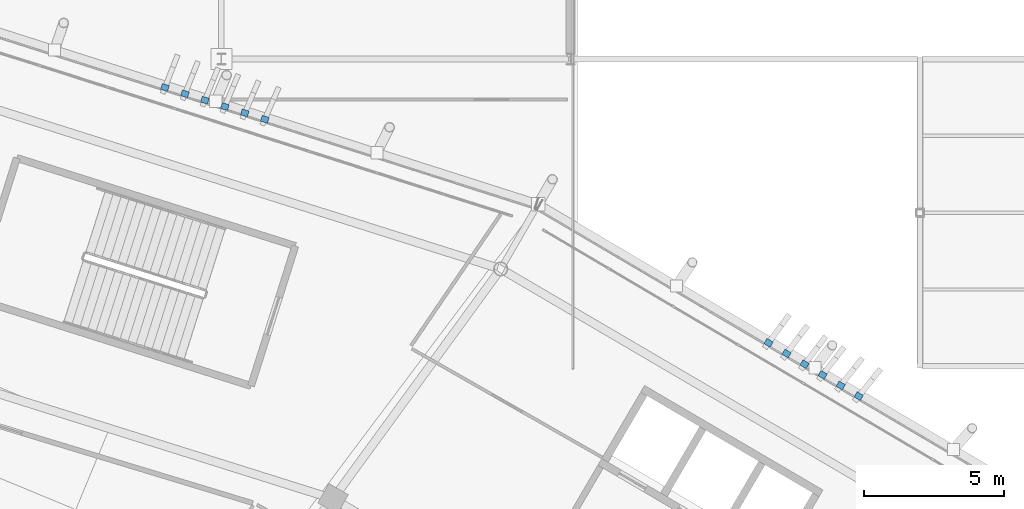
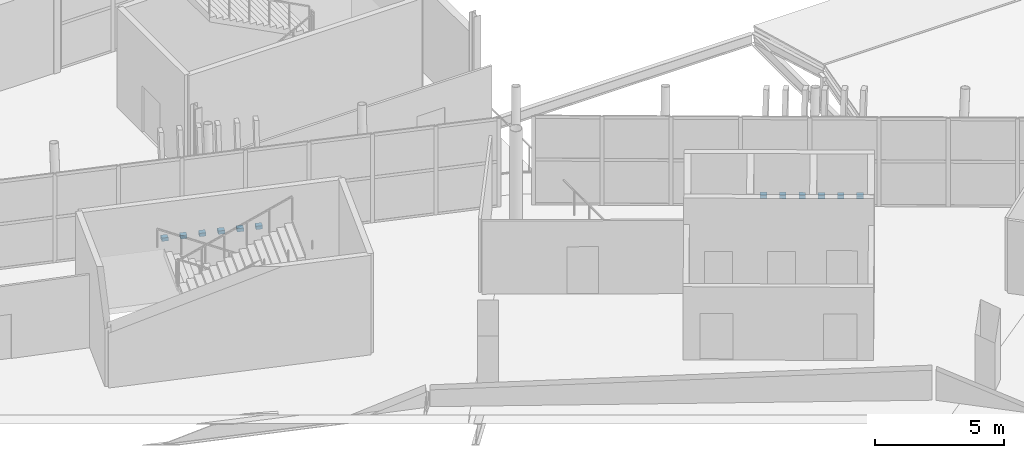
# One storey, part 145 of 179: 12 discrete accessories.
"""IFC4 building model written with IfcOpenShell, lengths in metres."""

from ifc_helpers import new_model, si_unit, direction, frame, origin, origin_2d, place, context, subcontext, project, spatial, rectangle, extrude, material, type_object, element, save


model = new_model("IFC4")

# Units and contexts
model_context = context("Model", 3, precision=1e-05, world=origin(), true_north=direction((0.0, 1.0)))
body_context = subcontext(model_context, "Body", "Model", "MODEL_VIEW")
ifc_project = project(units=[si_unit("LENGTHUNIT", "METRE"), si_unit("AREAUNIT", "SQUARE_METRE"), si_unit("VOLUMEUNIT", "CUBIC_METRE"), si_unit("PLANEANGLEUNIT", "RADIAN"), si_unit("MASSUNIT", "GRAM", prefix="KILO")], contexts=[model_context])

# Site, building, storey
site_placement = place(None, origin())
site = spatial("IfcSite", under=ifc_project, at=site_placement, CompositionType="ELEMENT")
building_placement = place(site_placement, origin())
building = spatial("IfcBuilding", under=site, at=building_placement, Name="Zlatoyarsky Gate Stadium", CompositionType="ELEMENT")
storey_placement = place(building_placement, frame((0.0, 0.0, 10.60009765625)))
storey = spatial("IfcBuildingStorey", under=building, at=storey_placement, Name="L02", CompositionType="ELEMENT", Elevation=10.60009765625)

# Discrete accessories
ifc_material = material(Name="Steel S355", Category="steel")
discrete_accessory_type = type_object("IfcDiscreteAccessoryType", Name="STEEL LOUVRE ANCHOR BRACKET 260X220X160", PredefinedType="BRACKET", material=ifc_material)
for number, where, z_axis, x_axis, name in (
    (1, (170.3115234375, 136.934326171875, -0.02001953125), (0.0, 0.0, 1.0), (-0.860991539647, 0.508619276725, 0.0), "Louvre anchor bracket L02-03-1"),
    (2, (169.666015625, 137.31591796875, -0.02001953125), (0.0, 0.0, 1.0), (-0.860991539647, 0.508619276725, 0.0), "Louvre anchor bracket L02-03-2"),
    (3, (169.02001953125, 137.697265625, -0.02001953125), (0.0, 0.0, 1.0), (-0.860991539647, 0.508619276725, 0.0), "Louvre anchor bracket L02-03-3"),
    (4, (168.37451171875, 138.078857421875, -0.02001953125), (0.0, 0.0, 1.0), (-0.860991539647, 0.508619276725, 0.0), "Louvre anchor bracket L02-03-4"),
    (5, (167.728515625, 138.460205078125, -0.02001953125), (0.0, 0.0, 1.0), (-0.860991539647, 0.508619276725, 0.0), "Louvre anchor bracket L02-03-5"),
    (6, (167.0830078125, 138.841796875, -0.02001953125), (0.0, 0.0, 1.0), (-0.860991539647, 0.508619276725, 0.0), "Louvre anchor bracket L02-03-6"),
    (7, (149.056396484375, 146.84228515625, -0.02001953125), (0.0, 0.0, 1.0), (-0.952730972703, 0.303815229459, 0.0), "Louvre anchor bracket L02-04-1"),
    (8, (148.341796875, 147.0703125, -0.02001953125), (0.0, 0.0, 1.0), (-0.952730972703, 0.303815229459, 0.0), "Louvre anchor bracket L02-04-2"),
    (9, (147.627197265625, 147.298095703125, -0.02001953125), (0.0, 0.0, 1.0), (-0.952730972703, 0.303815229459, 0.0), "Louvre anchor bracket L02-04-3"),
    (10, (146.91259765625, 147.52587890625, -0.02001953125), (0.0, 0.0, 1.0), (-0.952730972703, 0.303815229459, 0.0), "Louvre anchor bracket L02-04-4"),
    (11, (146.1982421875, 147.75390625, -0.02001953125), (0.0, 0.0, 1.0), (-0.952730972703, 0.303815229459, 0.0), "Louvre anchor bracket L02-04-5"),
    (12, (145.483642578125, 147.981689453125, -0.02001953125), (0.0, 0.0, 1.0), (-0.952730972703, 0.303815229459, 0.0), "Louvre anchor bracket L02-04-6"),
):
    element("IfcDiscreteAccessory", number, at=place(storey_placement, frame(where, z_axis=z_axis, x_axis=x_axis)), inside=storey, type_object=discrete_accessory_type, Name=name, PredefinedType="BRACKET", context=body_context, shape_type="SweptSolid", body=[
        extrude(rectangle(XDim=0.260009765625, YDim=0.219970703125, at=origin_2d()), origin(), (0.0, 0.0, 1.0), 0.159912109375),
    ])

save(model, "model.ifc")
